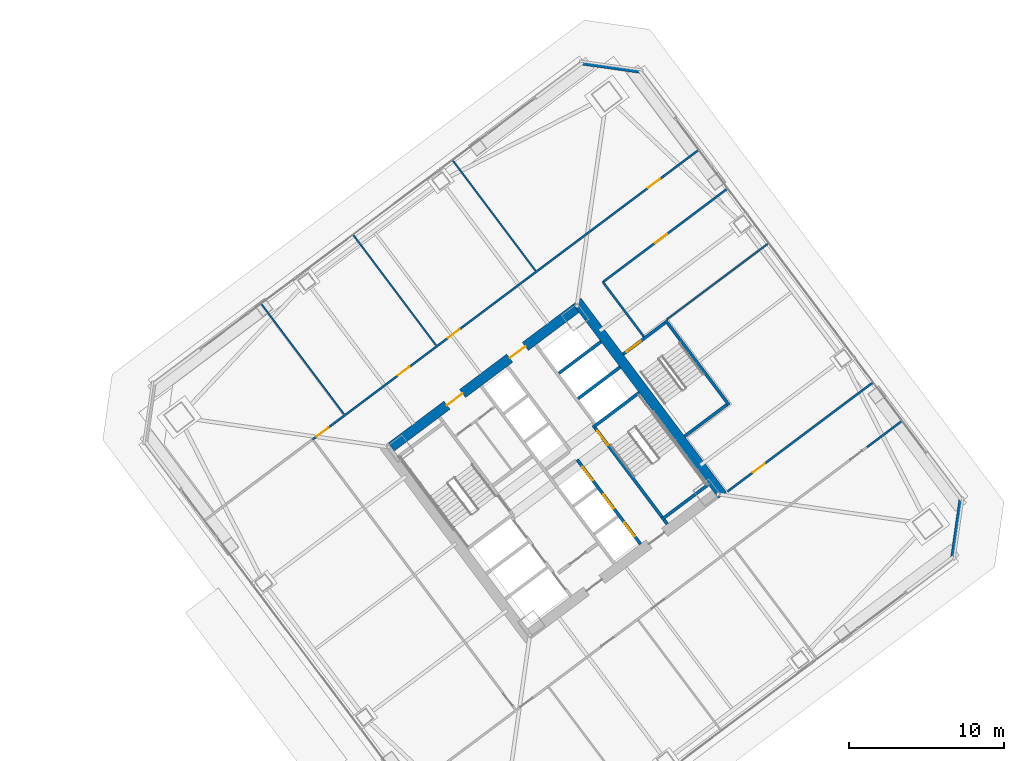
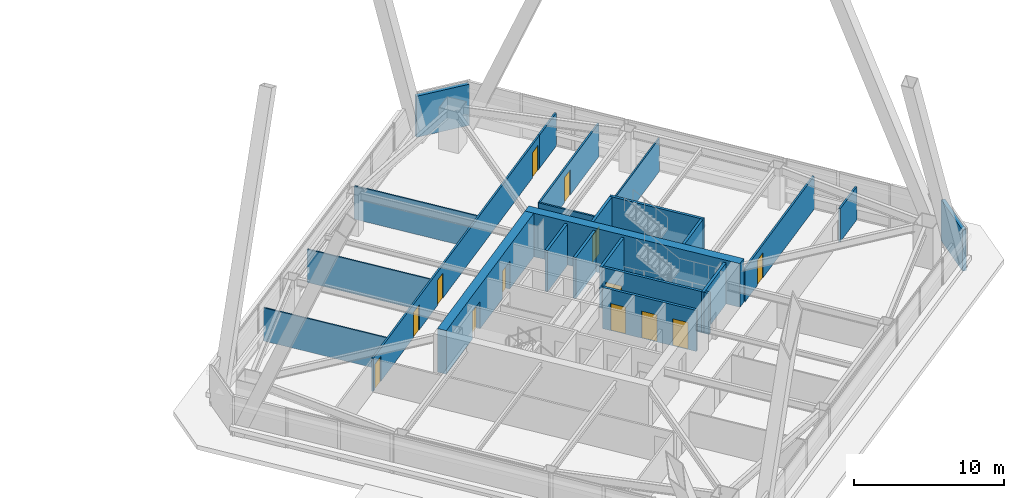
# One storey, part 59 of 67: 23 walls, 13 doors, 13 openings.
"""IFC4 building model written with IfcOpenShell, lengths in metres."""

from ifc_helpers import new_model, si_unit, direction, frame, frame_2d, origin, place, context, subcontext, project, spatial, rectangle, extrude, material, layer, layer_set, type_object, element, fill, save


model = new_model("IFC4")

# Units and contexts
model_context = context("Model", 3, precision=1e-05, world=origin(), true_north=direction((0.0, 1.0)))
body_context = subcontext(model_context, "Body", "Model", "MODEL_VIEW")
ifc_project = project(units=[si_unit("LENGTHUNIT", "METRE"), si_unit("AREAUNIT", "SQUARE_METRE"), si_unit("VOLUMEUNIT", "CUBIC_METRE"), si_unit("PLANEANGLEUNIT", "RADIAN"), si_unit("MASSUNIT", "GRAM", prefix="KILO")], contexts=[model_context])

# Site, building, storey
site_placement = place(None, origin())
site = spatial("IfcSite", under=ifc_project, at=site_placement, CompositionType="ELEMENT")
building_placement = place(site_placement, origin())
building = spatial("IfcBuilding", under=site, at=building_placement, Name="Tashvorn Skyway Center", CompositionType="ELEMENT")
storey_placement = place(building_placement, frame((0.0, 0.0, 67.199951171875)))
storey = spatial("IfcBuildingStorey", under=building, at=storey_placement, Name="L17", CompositionType="ELEMENT", Elevation=67.199951171875)

# Wall
ifc_material_1 = material(Name="Concrete C60/75", Category="concrete")
ifc_layer_1 = layer(ifc_material_1, 0.64990234375)
ifc_layer_set_1 = layer_set([ifc_layer_1], Name="Concrete C60/75")
wall_type_1 = type_object("IfcWallType", Name="WALL-CORE-650", PredefinedType="SHEAR", material=ifc_layer_set_1)
wall_1_placement = place(storey_placement, frame((115.52392578125, 42.89306640625, 0.0), z_axis=(0.0, 0.0, 1.0), x_axis=(0.600005007985, -0.799996243986, 0.0)))
element("IfcWall", 1, at=wall_1_placement, inside=storey, type_object=wall_type_1, Name="Tower 2 L17 East Core Shear Wall", PredefinedType="SHEAR", context=body_context, shape_type="SweptSolid", body=[
    extrude(rectangle(XDim=15.60009765625, YDim=0.64990234375, at=frame_2d((7.800048828125, 0.0))), origin(), (0.0, 0.0, 1.0), 3.550048828125),
])

# Wall, openings, doors
wall_2_placement = place(storey_placement, frame((103.571044921875, 33.52197265625, 0.0), z_axis=(0.0, 0.0, 1.0), x_axis=(0.799998028465, 0.600002628705, 0.0)))
wall_2 = element("IfcWall", 2, at=wall_2_placement, inside=storey, type_object=wall_type_1, Name="Tower 2 L17 North Core Shear Wall", PredefinedType="SHEAR", context=body_context, shape_type="SweptSolid", body=[
    extrude(rectangle(XDim=14.85986328125, YDim=0.64990234375, at=frame_2d((7.429931640625, 0.0))), origin(), (0.0, 0.0, 1.0), 3.550048828125),
])
opening_1_placement = place(wall_2_placement, frame((4.47998046875, 0.0, 0.0)))
opening_1 = element("IfcOpeningElement", 3, at=opening_1_placement, cuts=wall_2, Name="Opening D-FFL-1250", PredefinedType="OPENING", context=body_context, shape_type="SweptSolid", body=[
    extrude(rectangle(XDim=1.25, YDim=2.25, at=frame_2d((0.625, 1.125))), frame((0.0, 0.3349609375, 0.0), z_axis=(0.0, -1.0, 0.0), x_axis=(1.0, 0.0, 0.0)), (0.0, 0.0, 1.0), 0.669921875),
])
opening_2_placement = place(wall_2_placement, frame((9.530029296875, 0.0, 0.0)))
opening_2 = element("IfcOpeningElement", 4, at=opening_2_placement, cuts=wall_2, Name="Opening D-FFL-1250", PredefinedType="OPENING", context=body_context, shape_type="SweptSolid", body=[
    extrude(rectangle(XDim=1.25, YDim=2.25, at=frame_2d((0.625, 1.125))), frame((0.0, 0.3349609375, 0.0), z_axis=(0.0, -1.0, 0.0), x_axis=(1.0, 0.0, 0.0)), (0.0, 0.0, 1.0), 0.669921875),
])
ifc_material_2 = material(Name="Hollow galvanized steel fire door assembly", Category="steel")
door_type_1 = type_object("IfcDoorType", Name="DOOR-FFL-1250", OperationType="NOTDEFINED", PredefinedType="DOOR", material=ifc_material_2)
door_1_placement = place(opening_1_placement, origin())
door_1 = element("IfcDoor", 5, at=door_1_placement, inside=storey, type_object=door_type_1, Name="Tower 2 L17 Core North Service Lobby Door", OperationType="SINGLE_SWING_LEFT", OverallHeight=2.25, OverallWidth=1.25, PredefinedType="DOOR", context=body_context, shape_type="SweptSolid", body=[
    extrude(rectangle(XDim=1.25, YDim=2.25, at=frame_2d((0.625, 1.125))), frame((0.0, 0.02490234375, 0.0), z_axis=(0.0, -1.0, 0.0), x_axis=(1.0, 0.0, 0.0)), (0.0, 0.0, 1.0), 0.050048828125),
])
fill(opening_1, door_1)
door_2_placement = place(opening_2_placement, origin())
door_2 = element("IfcDoor", 6, at=door_2_placement, inside=storey, type_object=door_type_1, Name="Tower 2 L17 Core North Lift Lobby Door", OperationType="SINGLE_SWING_RIGHT", OverallHeight=2.25, OverallWidth=1.25, PredefinedType="DOOR", context=body_context, shape_type="SweptSolid", body=[
    extrude(rectangle(XDim=1.25, YDim=2.25, at=frame_2d((0.625, 1.125))), frame((0.0, 0.02490234375, 0.0), z_axis=(0.0, -1.0, 0.0), x_axis=(1.0, 0.0, 0.0)), (0.0, 0.0, 1.0), 0.050048828125),
])
fill(opening_2, door_2)

# Walls
ifc_material_3 = material(Name="Precast concrete C40/50", Category="concrete")
ifc_layer_2 = layer(ifc_material_3, 0.280029296875)
ifc_layer_set_2 = layer_set([ifc_layer_2], Name="Precast concrete C40/50")
wall_type_2 = type_object("IfcWallType", Name="WALL-EXT-280", PredefinedType="SOLIDWALL", material=ifc_layer_set_2)
for number, where, z_axis, x_axis, name in (
    (7, (115.820068359375, 58.239990234375, 0.0), (0.0, 0.0, 1.0), (0.989948214866, -0.141430307517, 0.0), "Tower 2 L17 NE Precast Chamfer Wall"),
    (8, (140.239990234375, 30.179931640625, 0.0), (0.0, 0.0, 1.0), (-0.141430307517, -0.989948214866, 0.0), "Tower 2 L17 SE Precast Chamfer Wall"),
):
    element("IfcWall", number, at=place(storey_placement, frame(where, z_axis=z_axis, x_axis=x_axis)), inside=storey, type_object=wall_type_2, Name=name, PredefinedType="SOLIDWALL", context=body_context, shape_type="SweptSolid", body=[
        extrude(rectangle(XDim=3.818359375, YDim=0.280029296875, at=frame_2d((1.9091796875, 0.0))), origin(), (0.0, 0.0, 1.0), 3.35009765625),
    ])
ifc_material_4 = material(Name="Gypsum board on cold-formed steel stud framing", Category="steel")
ifc_layer_3 = layer(ifc_material_4, 0.110107421875)
ifc_layer_set_3 = layer_set([ifc_layer_3], Name="Gypsum board on cold-formed steel stud framing")
wall_type_3 = type_object("IfcWallType", Name="WALL-PART-110", PredefinedType="PARTITIONING", material=ifc_layer_set_3)
for number, where, z_axis, x_axis, name in (
    (9, (100.531982421875, 35.6240234375, 0.0), (0.0, 0.0, 1.0), (-0.600013167126, 0.799990124486, 0.0), "Tower 2 L17 North Suite Partition 1"),
    (10, (106.451904296875, 40.06396484375, 0.0), (0.0, 0.0, 1.0), (-0.599982443676, 0.800013166942, 0.0), "Tower 2 L17 North Suite Partition 2"),
    (11, (112.85205078125, 44.864013671875, 0.0), (0.0, 0.0, 1.0), (-0.600013167126, 0.799990124486, 0.0), "Tower 2 L17 North Suite Partition 3"),
):
    element("IfcWall", number, at=place(storey_placement, frame(where, z_axis=z_axis, x_axis=x_axis)), inside=storey, type_object=wall_type_3, Name=name, PredefinedType="PARTITIONING", context=body_context, shape_type="SweptSolid", body=[
        extrude(rectangle(XDim=8.89990234375, YDim=0.110107421875, at=frame_2d((4.449951171875, 0.0))), origin(), (0.0, 0.0, 1.0), 2.703125),
    ])
wall_3_placement = place(storey_placement, frame((127.864013671875, 46.64794921875, 0.0), z_axis=(0.0, 0.0, 1.0), x_axis=(-0.800007145523, -0.599990472518, 0.0)))
element("IfcWall", 12, at=wall_3_placement, inside=storey, type_object=wall_type_3, Name="Tower 2 L17 East Suite Partition 1", PredefinedType="PARTITIONING", context=body_context, shape_type="SweptSolid", body=[
    extrude(rectangle(XDim=8.199951171875, YDim=0.110107421875, at=frame_2d((4.10009765625, 0.0))), origin(), (0.0, 0.0, 1.0), 2.703125),
])
ifc_layer_4 = layer(ifc_material_4, 0.135009765625)
ifc_layer_set_4 = layer_set([ifc_layer_4], Name="Gypsum board on cold-formed steel stud framing")
wall_type_4 = type_object("IfcWallType", Name="WALL-PART-135", PredefinedType="PARTITIONING", material=ifc_layer_set_4)
wall_4_placement = place(storey_placement, frame((119.823974609375, 40.617919921875, 0.0), z_axis=(0.0, 0.0, 1.0), x_axis=(-0.599982243973, 0.800013316712, 0.0)))
element("IfcWall", 13, at=wall_4_placement, inside=storey, type_object=wall_type_4, Name="Tower 2 L17 Stair 3 Access Corridor Wall", PredefinedType="PARTITIONING", context=body_context, shape_type="SweptSolid", body=[
    extrude(rectangle(XDim=4.39990234375, YDim=0.135009765625, at=frame_2d((2.199951171875, 0.0))), origin(), (0.0, 0.0, 1.0), 2.703125),
])

# Wall, openings, doors
wall_5_placement = place(storey_placement, frame((98.51611328125, 34.011962890625, 0.0), z_axis=(0.0, 0.0, 1.0), x_axis=(0.8, 0.6, 0.0)))
wall_5 = element("IfcWall", 14, at=wall_5_placement, inside=storey, type_object=wall_type_4, Name="Tower 2 L17 North Suite Wall", PredefinedType="PARTITIONING", context=body_context, shape_type="SweptSolid", body=[
    extrude(rectangle(XDim=28.22998046875, YDim=0.135009765625, at=frame_2d((14.114990234375, 0.0))), origin(), (0.0, 0.0, 1.0), 2.703125),
])
opening_3_placement = place(wall_5_placement, frame((0.300048828125, 0.0, 0.0)))
opening_3 = element("IfcOpeningElement", 15, at=opening_3_placement, cuts=wall_5, Name="Opening D-INT-950", PredefinedType="OPENING", context=body_context, shape_type="SweptSolid", body=[
    extrude(rectangle(XDim=0.949951171875, YDim=2.050048828125, at=frame_2d((0.47509765625, 1.02490234375))), frame((0.0, 0.077392578125, 0.0), z_axis=(0.0, -1.0, 0.0), x_axis=(1.0, 0.0, 0.0)), (0.0, 0.0, 1.0), 0.155029296875),
])
opening_4_placement = place(wall_5_placement, frame((6.839599609375, 0.0, 0.0)))
opening_4 = element("IfcOpeningElement", 16, at=opening_4_placement, cuts=wall_5, Name="Opening D-INT-950", PredefinedType="OPENING", context=body_context, shape_type="SweptSolid", body=[
    extrude(rectangle(XDim=0.949951171875, YDim=2.050048828125, at=frame_2d((0.47509765625, 1.02490234375))), frame((0.0, 0.077392578125, 0.0), z_axis=(0.0, -1.0, 0.0), x_axis=(1.0, 0.0, 0.0)), (0.0, 0.0, 1.0), 0.155029296875),
])
opening_5_placement = place(wall_5_placement, frame((10.86328125, 0.0, 0.0)))
opening_5 = element("IfcOpeningElement", 17, at=opening_5_placement, cuts=wall_5, Name="Opening D-INT-950", PredefinedType="OPENING", context=body_context, shape_type="SweptSolid", body=[
    extrude(rectangle(XDim=0.949951171875, YDim=2.050048828125, at=frame_2d((0.47509765625, 1.02490234375))), frame((0.0, 0.077392578125, 0.0), z_axis=(0.0, -1.0, 0.0), x_axis=(1.0, 0.0, 0.0)), (0.0, 0.0, 1.0), 0.155029296875),
])
opening_6_placement = place(wall_5_placement, frame((26.97998046875, 0.0, 0.0)))
opening_6 = element("IfcOpeningElement", 18, at=opening_6_placement, cuts=wall_5, Name="Opening D-INT-950", PredefinedType="OPENING", context=body_context, shape_type="SweptSolid", body=[
    extrude(rectangle(XDim=0.949951171875, YDim=2.050048828125, at=frame_2d((0.47509765625, 1.02490234375))), frame((0.0, 0.077392578125, 0.0), z_axis=(0.0, -1.0, 0.0), x_axis=(1.0, 0.0, 0.0)), (0.0, 0.0, 1.0), 0.155029296875),
])
ifc_material_5 = material(Name="Solid-core architectural oak veneer door")
door_type_2 = type_object("IfcDoorType", Name="DOOR-INT-950", OperationType="NOTDEFINED", PredefinedType="DOOR", material=ifc_material_5)
door_3_placement = place(opening_3_placement, origin())
door_3 = element("IfcDoor", 19, at=door_3_placement, inside=storey, type_object=door_type_2, Name="Tower 2 L17 Conference Room Door", OperationType="SINGLE_SWING_LEFT", OverallHeight=2.050048828125, OverallWidth=0.949951171875, PredefinedType="DOOR", context=body_context, shape_type="SweptSolid", body=[
    extrude(rectangle(XDim=0.949951171875, YDim=2.050048828125, at=frame_2d((0.47509765625, 1.02490234375))), frame((0.0, 0.02490234375, 0.0), z_axis=(0.0, -1.0, 0.0), x_axis=(1.0, 0.0, 0.0)), (0.0, 0.0, 1.0), 0.050048828125),
])
fill(opening_3, door_3)
door_4_placement = place(opening_4_placement, origin())
door_4 = element("IfcDoor", 20, at=door_4_placement, inside=storey, type_object=door_type_2, Name="Tower 2 L17 Conference Room Door", OperationType="SINGLE_SWING_RIGHT", OverallHeight=2.050048828125, OverallWidth=0.949951171875, PredefinedType="DOOR", context=body_context, shape_type="SweptSolid", body=[
    extrude(rectangle(XDim=0.949951171875, YDim=2.050048828125, at=frame_2d((0.47509765625, 1.02490234375))), frame((0.0, 0.02490234375, 0.0), z_axis=(0.0, -1.0, 0.0), x_axis=(1.0, 0.0, 0.0)), (0.0, 0.0, 1.0), 0.050048828125),
])
fill(opening_4, door_4)
door_5_placement = place(opening_5_placement, origin())
door_5 = element("IfcDoor", 21, at=door_5_placement, inside=storey, type_object=door_type_2, Name="Tower 2 L17 Boardroom Door", OperationType="SINGLE_SWING_LEFT", OverallHeight=2.050048828125, OverallWidth=0.949951171875, PredefinedType="DOOR", context=body_context, shape_type="SweptSolid", body=[
    extrude(rectangle(XDim=0.949951171875, YDim=2.050048828125, at=frame_2d((0.47509765625, 1.02490234375))), frame((0.0, 0.02490234375, 0.0), z_axis=(0.0, -1.0, 0.0), x_axis=(1.0, 0.0, 0.0)), (0.0, 0.0, 1.0), 0.050048828125),
])
fill(opening_5, door_5)
door_6_placement = place(opening_6_placement, origin())
door_6 = element("IfcDoor", 22, at=door_6_placement, inside=storey, type_object=door_type_2, Name="Tower 2 L17 Gallery Showroom Door", OperationType="SINGLE_SWING_RIGHT", OverallHeight=2.050048828125, OverallWidth=0.949951171875, PredefinedType="DOOR", context=body_context, shape_type="SweptSolid", body=[
    extrude(rectangle(XDim=0.949951171875, YDim=2.050048828125, at=frame_2d((0.47509765625, 1.02490234375))), frame((0.0, 0.02490234375, 0.0), z_axis=(0.0, -1.0, 0.0), x_axis=(1.0, 0.0, 0.0)), (0.0, 0.0, 1.0), 0.050048828125),
])
fill(opening_6, door_6)

# Walls
wall_6_placement = place(storey_placement, frame((121.10009765625, 50.949951171875, 0.0), z_axis=(0.0, 0.0, 1.0), x_axis=(0.799989647378, 0.600013803248, 0.0)))
element("IfcWall", 23, at=wall_6_placement, inside=storey, type_object=wall_type_4, Name="Tower 2 L17 North-East Suite South Wall", PredefinedType="PARTITIONING", context=body_context, shape_type="SweptSolid", body=[
    extrude(rectangle(XDim=2.829833984375, YDim=0.135009765625, at=frame_2d((1.4150390625, 0.0))), origin(), (0.0, 0.0, 1.0), 2.703125),
])
wall_7_placement = place(storey_placement, frame((134.179931640625, 33.510009765625, 0.0), z_axis=(0.0, 0.0, 1.0), x_axis=(0.8000207031, 0.599972394874, 0.0)))
element("IfcWall", 24, at=wall_7_placement, inside=storey, type_object=wall_type_4, Name="Tower 2 L17 South-East Suite North Wall", PredefinedType="PARTITIONING", context=body_context, shape_type="SweptSolid", body=[
    extrude(rectangle(XDim=2.830078125, YDim=0.135009765625, at=frame_2d((1.4150390625, 0.0))), origin(), (0.0, 0.0, 1.0), 2.703125),
])

# Wall, opening, door
wall_8_placement = place(storey_placement, frame((125.22412109375, 50.16796875, 0.0), z_axis=(0.0, 0.0, 1.0), x_axis=(-0.8, -0.6, 0.0)))
wall_8 = element("IfcWall", 25, at=wall_8_placement, inside=storey, type_object=wall_type_4, Name="Tower 2 L17 East Suite North Wall", PredefinedType="PARTITIONING", context=body_context, shape_type="SweptSolid", body=[
    extrude(rectangle(XDim=10.050048828125, YDim=0.135009765625, at=frame_2d((5.02490234375, 0.0))), origin(), (0.0, 0.0, 1.0), 2.703125),
])
opening_7_placement = place(wall_8_placement, frame((4.89990234375, 0.0, 0.0)))
opening_7 = element("IfcOpeningElement", 26, at=opening_7_placement, cuts=wall_8, Name="Opening D-INT-950", PredefinedType="OPENING", context=body_context, shape_type="SweptSolid", body=[
    extrude(rectangle(XDim=0.949951171875, YDim=2.050048828125, at=frame_2d((0.47509765625, 1.02490234375))), frame((0.0, 0.077392578125, 0.0), z_axis=(0.0, -1.0, 0.0), x_axis=(1.0, 0.0, 0.0)), (0.0, 0.0, 1.0), 0.155029296875),
])
door_7_placement = place(opening_7_placement, origin())
door_7 = element("IfcDoor", 27, at=door_7_placement, inside=storey, type_object=door_type_2, Name="Tower 2 L17 Gallery Showroom Door", OperationType="SINGLE_SWING_LEFT", OverallHeight=2.050048828125, OverallWidth=0.949951171875, PredefinedType="DOOR", context=body_context, shape_type="SweptSolid", body=[
    extrude(rectangle(XDim=0.949951171875, YDim=2.050048828125, at=frame_2d((0.47509765625, 1.02490234375))), frame((0.0, 0.02490234375, 0.0), z_axis=(0.0, -1.0, 0.0), x_axis=(1.0, 0.0, 0.0)), (0.0, 0.0, 1.0), 0.050048828125),
])
fill(opening_7, door_7)

wall_9_placement = place(storey_placement, frame((125.2080078125, 30.656005859375, 0.0), z_axis=(0.0, 0.0, 1.0), x_axis=(0.8, 0.6, 0.0)))
wall_9 = element("IfcWall", 28, at=wall_9_placement, inside=storey, type_object=wall_type_4, Name="Tower 2 L17 East Suite South Wall", PredefinedType="PARTITIONING", context=body_context, shape_type="SweptSolid", body=[
    extrude(rectangle(XDim=11.719970703125, YDim=0.135009765625, at=frame_2d((5.85986328125, 0.0))), origin(), (0.0, 0.0, 1.0), 2.703125),
])
opening_8_placement = place(wall_9_placement, frame((2.044921875, 0.0, 0.0)))
opening_8 = element("IfcOpeningElement", 29, at=opening_8_placement, cuts=wall_9, Name="Opening D-INT-950", PredefinedType="OPENING", context=body_context, shape_type="SweptSolid", body=[
    extrude(rectangle(XDim=0.949951171875, YDim=2.050048828125, at=frame_2d((0.47509765625, 1.02490234375))), frame((0.0, 0.077392578125, 0.0), z_axis=(0.0, -1.0, 0.0), x_axis=(1.0, 0.0, 0.0)), (0.0, 0.0, 1.0), 0.155029296875),
])
door_8_placement = place(opening_8_placement, origin())
door_8 = element("IfcDoor", 30, at=door_8_placement, inside=storey, type_object=door_type_2, Name="Tower 2 L17 Public Restroom Door", OperationType="SINGLE_SWING_RIGHT", OverallHeight=2.050048828125, OverallWidth=0.949951171875, PredefinedType="DOOR", context=body_context, shape_type="SweptSolid", body=[
    extrude(rectangle(XDim=0.949951171875, YDim=2.050048828125, at=frame_2d((0.47509765625, 1.02490234375))), frame((0.0, 0.02490234375, 0.0), z_axis=(0.0, -1.0, 0.0), x_axis=(1.0, 0.0, 0.0)), (0.0, 0.0, 1.0), 0.050048828125),
])
fill(opening_8, door_8)

# Walls
ifc_material_6 = material(Name="Concrete C40/50", Category="concrete")
ifc_layer_5 = layer(ifc_material_6, 0.199951171875)
ifc_layer_set_5 = layer_set([ifc_layer_5], Name="Concrete C40/50")
wall_type_5 = type_object("IfcWallType", Name="WALL-SHAFT-200", PredefinedType="SOLIDWALL", material=ifc_layer_set_5)
for number, where, z_axis, x_axis, name in (
    (31, (115.590087890625, 36.6298828125, 0.0), (0.0, 0.0, 1.0), (0.799973995579, 0.600034670996, 0.0), "Tower 2 L17 High-Rise Shaft Divider"),
    (32, (114.360107421875, 38.27001953125, 0.0), (0.0, 0.0, 1.0), (0.799973995579, 0.600034670996, 0.0), "Tower 2 L17 High-Rise Shaft Divider"),
):
    element("IfcWall", number, at=place(storey_placement, frame(where, z_axis=z_axis, x_axis=x_axis)), inside=storey, type_object=wall_type_5, Name=name, PredefinedType="SOLIDWALL", context=body_context, shape_type="SweptSolid", body=[
        extrude(rectangle(XDim=3.3798828125, YDim=0.199951171875, at=frame_2d((1.68994140625, 0.0))), origin(), (0.0, 0.0, 1.0), 3.35009765625),
    ])

# Wall, openings, doors
wall_10_placement = place(storey_placement, frame((119.610107421875, 27.27001953125, 0.0), z_axis=(0.0, 0.0, 1.0), x_axis=(-0.600011488909, 0.79999138319, 0.0)))
wall_10 = element("IfcWall", 33, at=wall_10_placement, inside=storey, type_object=wall_type_5, Name="Tower 2 L17 Low-Rise Core Wall", PredefinedType="SOLIDWALL", context=body_context, shape_type="SweptSolid", body=[
    extrude(rectangle(XDim=6.800048828125, YDim=0.199951171875, at=frame_2d((3.39990234375, 0.0))), origin(), (0.0, 0.0, 1.0), 3.35009765625),
])
opening_9_placement = place(wall_10_placement, frame((0.625, 0.0, 0.0)))
opening_9 = element("IfcOpeningElement", 34, at=opening_9_placement, cuts=wall_10, Name="Opening LD-LR-T2-1-L17", PredefinedType="OPENING", context=body_context, shape_type="SweptSolid", body=[
    extrude(rectangle(XDim=1.10009765625, YDim=2.199951171875, at=frame_2d((0.550048828125, 1.10009765625))), frame((0.0, 0.10986328125, 0.0), z_axis=(0.0, -1.0, 0.0), x_axis=(1.0, 0.0, 0.0)), (0.0, 0.0, 1.0), 0.219970703125),
])
opening_10_placement = place(wall_10_placement, frame((2.875, 0.0, 0.0)))
opening_10 = element("IfcOpeningElement", 35, at=opening_10_placement, cuts=wall_10, Name="Opening LD-LR-T2-2-L17", PredefinedType="OPENING", context=body_context, shape_type="SweptSolid", body=[
    extrude(rectangle(XDim=1.10009765625, YDim=2.199951171875, at=frame_2d((0.550048828125, 1.10009765625))), frame((0.0, 0.10986328125, 0.0), z_axis=(0.0, -1.0, 0.0), x_axis=(1.0, 0.0, 0.0)), (0.0, 0.0, 1.0), 0.219970703125),
])
opening_11_placement = place(wall_10_placement, frame((5.125, 0.0, 0.0)))
opening_11 = element("IfcOpeningElement", 36, at=opening_11_placement, cuts=wall_10, Name="Opening LD-LR-T2-3-L17", PredefinedType="OPENING", context=body_context, shape_type="SweptSolid", body=[
    extrude(rectangle(XDim=1.10009765625, YDim=2.199951171875, at=frame_2d((0.550048828125, 1.10009765625))), frame((0.0, 0.10986328125, 0.0), z_axis=(0.0, -1.0, 0.0), x_axis=(1.0, 0.0, 0.0)), (0.0, 0.0, 1.0), 0.219970703125),
])
ifc_material_7 = material(Name="Stainless steel landing door", Category="steel")
door_type_3 = type_object("IfcDoorType", Name="DOOR-LIFT-1100", OperationType="SLIDING_TO_LEFT", PredefinedType="DOOR", material=ifc_material_7)
door_9_placement = place(opening_9_placement, origin())
door_9 = element("IfcDoor", 37, at=door_9_placement, inside=storey, type_object=door_type_3, Name="Lift LR-T2-1 L17 Landing Door", OperationType="SLIDING_TO_LEFT", OverallHeight=2.199951171875, OverallWidth=1.10009765625, PredefinedType="DOOR", context=body_context, shape_type="SweptSolid", body=[
    extrude(rectangle(XDim=1.10009765625, YDim=2.199951171875, at=frame_2d((0.550048828125, 1.10009765625))), frame((0.0, 0.02490234375, 0.0), z_axis=(0.0, -1.0, 0.0), x_axis=(1.0, 0.0, 0.0)), (0.0, 0.0, 1.0), 0.050048828125),
])
fill(opening_9, door_9)
door_10_placement = place(opening_10_placement, origin())
door_10 = element("IfcDoor", 38, at=door_10_placement, inside=storey, type_object=door_type_3, Name="Lift LR-T2-2 L17 Landing Door", OperationType="SLIDING_TO_LEFT", OverallHeight=2.199951171875, OverallWidth=1.10009765625, PredefinedType="DOOR", context=body_context, shape_type="SweptSolid", body=[
    extrude(rectangle(XDim=1.10009765625, YDim=2.199951171875, at=frame_2d((0.550048828125, 1.10009765625))), frame((0.0, 0.02490234375, 0.0), z_axis=(0.0, -1.0, 0.0), x_axis=(1.0, 0.0, 0.0)), (0.0, 0.0, 1.0), 0.050048828125),
])
fill(opening_10, door_10)
door_11_placement = place(opening_11_placement, origin())
door_11 = element("IfcDoor", 39, at=door_11_placement, inside=storey, type_object=door_type_3, Name="Lift LR-T2-3 L17 Landing Door", OperationType="SLIDING_TO_LEFT", OverallHeight=2.199951171875, OverallWidth=1.10009765625, PredefinedType="DOOR", context=body_context, shape_type="SweptSolid", body=[
    extrude(rectangle(XDim=1.10009765625, YDim=2.199951171875, at=frame_2d((0.550048828125, 1.10009765625))), frame((0.0, 0.02490234375, 0.0), z_axis=(0.0, -1.0, 0.0), x_axis=(1.0, 0.0, 0.0)), (0.0, 0.0, 1.0), 0.050048828125),
])
fill(opening_11, door_11)

# Wall, opening, door
ifc_layer_6 = layer(ifc_material_6, 0.199951171875)
ifc_layer_set_6 = layer_set([ifc_layer_6], Name="Concrete C40/50")
wall_type_6 = type_object("IfcWallType", Name="WALL-STSHF-200", PredefinedType="SHEAR", material=ifc_layer_set_6)
wall_11_placement = place(storey_placement, frame((116.56005859375, 34.919921875, 0.0), z_axis=(0.0, 0.0, 1.0), x_axis=(0.600009827119, -0.799992629566, 0.0)))
wall_11 = element("IfcWall", 40, at=wall_11_placement, inside=storey, type_object=wall_type_6, Name="Tower 2 L17 Stair 2 Enclosure Wall", PredefinedType="SHEAR", context=body_context, shape_type="SweptSolid", body=[
    extrude(rectangle(XDim=7.949951171875, YDim=0.199951171875, at=frame_2d((3.97509765625, 0.0))), origin(), (0.0, 0.0, 1.0), 3.35009765625),
])
opening_12_placement = place(wall_11_placement, frame((0.449951171875, 0.0, 0.0)))
opening_12 = element("IfcOpeningElement", 41, at=opening_12_placement, cuts=wall_11, Name="Opening D-ST-1150", PredefinedType="OPENING", context=body_context, shape_type="SweptSolid", body=[
    extrude(rectangle(XDim=1.14990234375, YDim=2.199951171875, at=frame_2d((0.574951171875, 1.10009765625))), frame((0.0, 0.10986328125, 0.0), z_axis=(0.0, -1.0, 0.0), x_axis=(1.0, 0.0, 0.0)), (0.0, 0.0, 1.0), 0.219970703125),
])
door_type_4 = type_object("IfcDoorType", Name="DOOR-STAIR-1150", OperationType="NOTDEFINED", PredefinedType="DOOR", material=ifc_material_2)
door_12_placement = place(opening_12_placement, origin())
door_12 = element("IfcDoor", 42, at=door_12_placement, inside=storey, type_object=door_type_4, Name="Tower 2 L17 Exit Stair 2 Door", OperationType="SINGLE_SWING_RIGHT", OverallHeight=2.199951171875, OverallWidth=1.14990234375, PredefinedType="DOOR", context=body_context, shape_type="SweptSolid", body=[
    extrude(rectangle(XDim=1.14990234375, YDim=2.199951171875, at=frame_2d((0.574951171875, 1.10009765625))), frame((0.0, 0.02490234375, 0.0), z_axis=(0.0, -1.0, 0.0), x_axis=(1.0, 0.0, 0.0)), (0.0, 0.0, 1.0), 0.050048828125),
])
fill(opening_12, door_12)

# Walls
for number, where, z_axis, x_axis, name in (
    (43, (116.5400390625, 34.780029296875, 0.0), (0.0, 0.0, 1.0), (0.799984290658, 0.600020945218, 0.0), "Tower 2 L17 Stair 2 North Wall"),
    (44, (120.97998046875, 28.860107421875, 0.0), (0.0, 0.0, 1.0), (0.800039270442, 0.59994763584, 0.0), "Tower 2 L17 Stair 2 South Wall"),
):
    element("IfcWall", number, at=place(storey_placement, frame(where, z_axis=z_axis, x_axis=x_axis)), inside=storey, type_object=wall_type_6, Name=name, PredefinedType="SHEAR", context=body_context, shape_type="SweptSolid", body=[
        extrude(rectangle(XDim=3.72998046875, YDim=0.199951171875, at=frame_2d((1.864990234375, 0.0))), origin(), (0.0, 0.0, 1.0), 3.35009765625),
    ])
wall_12_placement = place(storey_placement, frame((125.303955078125, 36.22802734375, 0.0), z_axis=(0.0, 0.0, 1.0), x_axis=(-0.59998851072, 0.800008616831, 0.0)))
element("IfcWall", 45, at=wall_12_placement, inside=storey, type_object=wall_type_6, Name="Tower 2 L17 Stair 3 Outer Wall", PredefinedType="SHEAR", context=body_context, shape_type="SweptSolid", body=[
    extrude(rectangle(XDim=6.7998046875, YDim=0.199951171875, at=frame_2d((3.39990234375, 0.0))), origin(), (0.0, 0.0, 1.0), 3.35009765625),
])

# Wall, opening, door
wall_13_placement = place(storey_placement, frame((121.2041015625, 41.528076171875, 0.0), z_axis=(0.0, 0.0, 1.0), x_axis=(-0.800017232136, -0.599977023131, 0.0)))
wall_13 = element("IfcWall", 46, at=wall_13_placement, inside=storey, type_object=wall_type_6, Name="Tower 2 L17 Stair 3 Enclosure Wall", PredefinedType="SHEAR", context=body_context, shape_type="SweptSolid", body=[
    extrude(rectangle(XDim=3.400146484375, YDim=0.199951171875, at=frame_2d((1.7001953125, 0.0))), origin(), (0.0, 0.0, 1.0), 3.35009765625),
])
opening_13_placement = place(wall_13_placement, frame((1.97509765625, 0.0, 0.0)))
opening_13 = element("IfcOpeningElement", 47, at=opening_13_placement, cuts=wall_13, Name="Opening D-ST-1150", PredefinedType="OPENING", context=body_context, shape_type="SweptSolid", body=[
    extrude(rectangle(XDim=1.14990234375, YDim=2.199951171875, at=frame_2d((0.574951171875, 1.10009765625))), frame((0.0, 0.10986328125, 0.0), z_axis=(0.0, -1.0, 0.0), x_axis=(1.0, 0.0, 0.0)), (0.0, 0.0, 1.0), 0.219970703125),
])
door_13_placement = place(opening_13_placement, origin())
door_13 = element("IfcDoor", 48, at=door_13_placement, inside=storey, type_object=door_type_4, Name="Tower 2 L17 Exit Stair 3 Door", OperationType="SINGLE_SWING_RIGHT", OverallHeight=2.199951171875, OverallWidth=1.14990234375, PredefinedType="DOOR", context=body_context, shape_type="SweptSolid", body=[
    extrude(rectangle(XDim=1.14990234375, YDim=2.199951171875, at=frame_2d((0.574951171875, 1.10009765625))), frame((0.0, 0.02490234375, 0.0), z_axis=(0.0, -1.0, 0.0), x_axis=(1.0, 0.0, 0.0)), (0.0, 0.0, 1.0), 0.050048828125),
])
fill(opening_13, door_13)

# Wall
wall_14_placement = place(storey_placement, frame((122.444091796875, 34.2080078125, 0.0), z_axis=(0.0, 0.0, 1.0), x_axis=(0.79999138319, 0.600011488909, 0.0)))
element("IfcWall", 49, at=wall_14_placement, inside=storey, type_object=wall_type_6, Name="Tower 2 L17 Stair 3 South Wall", PredefinedType="SHEAR", context=body_context, shape_type="SweptSolid", body=[
    extrude(rectangle(XDim=3.39990234375, YDim=0.199951171875, at=frame_2d((1.699951171875, 0.0))), origin(), (0.0, 0.0, 1.0), 3.35009765625),
])

save(model, "model.ifc")
